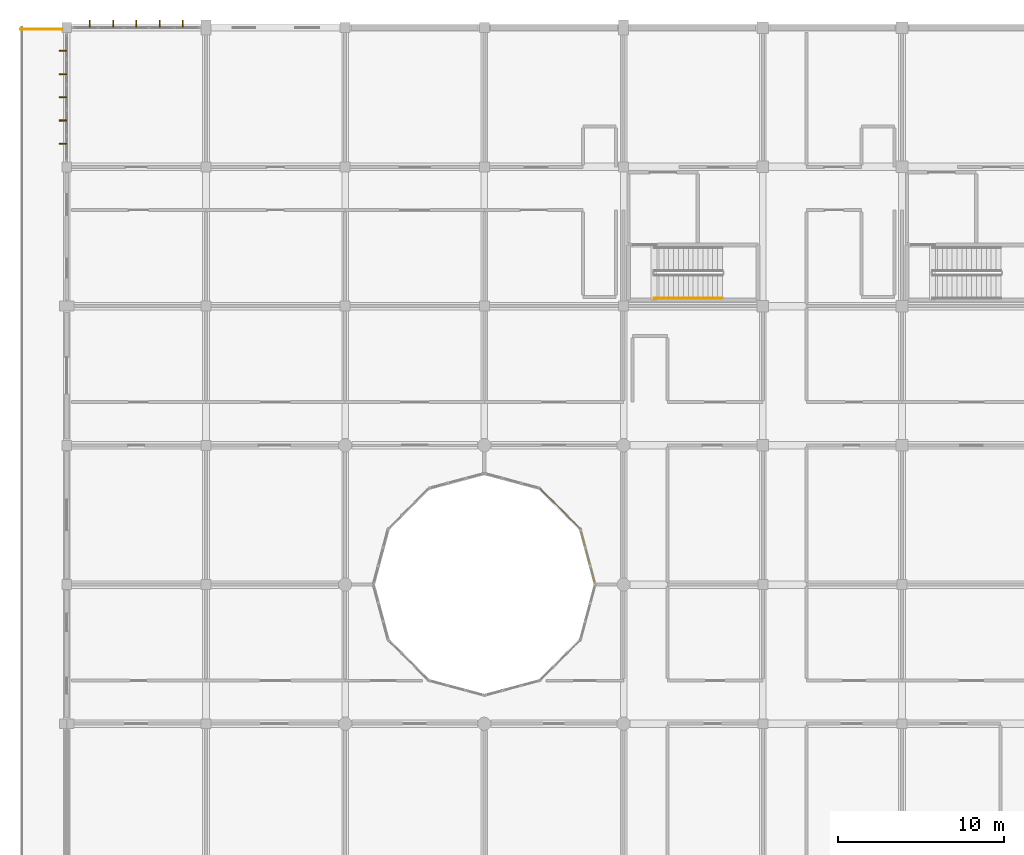
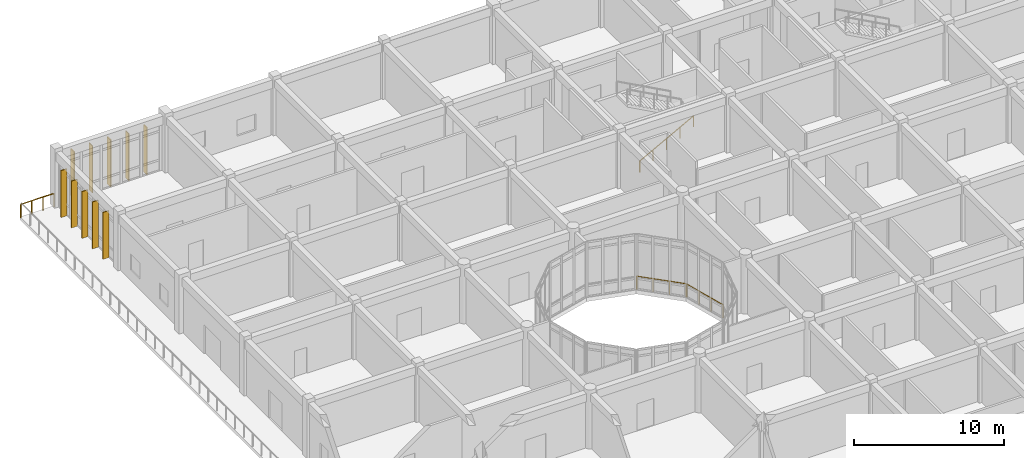
# One storey, part 124 of 138: 10 shading devices, 4 railings.
"""IFC4 building model written with IfcOpenShell, lengths in metres."""

from ifc_helpers import new_model, si_unit, direction, frame, origin, origin_2d, place, context, subcontext, project, spatial, rectangle, circle, extrude, material, material_profile, profile_set, type_object, element, save


model = new_model("IFC4")

# Units and contexts
model_context = context("Model", 3, precision=1e-05, world=origin(), true_north=direction((0.0, 1.0)))
body_context = subcontext(model_context, "Body", "Model", "MODEL_VIEW")
ifc_project = project(units=[si_unit("LENGTHUNIT", "METRE"), si_unit("AREAUNIT", "SQUARE_METRE"), si_unit("VOLUMEUNIT", "CUBIC_METRE"), si_unit("PLANEANGLEUNIT", "RADIAN"), si_unit("MASSUNIT", "GRAM", prefix="KILO")], contexts=[model_context])

# Site, building, storey
site_placement = place(None, origin())
site = spatial("IfcSite", under=ifc_project, at=site_placement, CompositionType="ELEMENT")
building_placement = place(site_placement, origin())
building = spatial("IfcBuilding", under=site, at=building_placement, Name="Bramfleet General Hospital", CompositionType="ELEMENT")
storey_placement = place(building_placement, origin())
storey = spatial("IfcBuildingStorey", under=building, at=storey_placement, Name="L00", CompositionType="ELEMENT", Elevation=0.0)

# Railings
ifc_material_1 = material(Name="Stainless steel 1.4401 safety balustrade", Category="steel")
railing_type_1 = type_object("IfcRailingType", Name="RAIL-EXT-GUARD", PredefinedType="GUARDRAIL", material=ifc_material_1)
railing_1_placement = place(storey_placement, frame((31.89404296875, 84.035400390625, 0.0)))
element("IfcRailing", 1, at=railing_1_placement, inside=storey, type_object=railing_type_1, Name="L00 Safety Guard Rail 7", PredefinedType="GUARDRAIL", context=body_context, shape_type="SweptSolid", body=[
    extrude(circle(Radius=0.02392578125, at=origin_2d()), frame((0.0, 0.0, 1.076171875), z_axis=(-0.258839080781, 0.965920457522, 0.0), x_axis=(-0.965920457522, -0.258839080781, 0.0)), (0.0, 0.0, 1.0), 3.396484375),
    extrude(circle(Radius=0.02099609375, at=origin_2d()), origin(), (0.0, 0.0, 1.0), 1.052001953125),
    extrude(circle(Radius=0.02099609375, at=origin_2d()), frame((-0.29296875, 1.093505859375, 0.0)), (0.0, 0.0, 1.0), 1.052001953125),
    extrude(circle(Radius=0.02099609375, at=origin_2d()), frame((-0.586181640625, 2.187255859375, 0.0)), (0.0, 0.0, 1.0), 1.052001953125),
    extrude(circle(Radius=0.02099609375, at=origin_2d()), frame((-0.879150390625, 3.28076171875, 0.0)), (0.0, 0.0, 1.0), 1.052001953125),
])
railing_2_placement = place(storey_placement, frame((30.9794921875, 87.377685546875, 0.0)))
element("IfcRailing", 2, at=railing_2_placement, inside=storey, type_object=railing_type_1, Name="L00 Safety Guard Rail 8", PredefinedType="GUARDRAIL", context=body_context, shape_type="SweptSolid", body=[
    extrude(circle(Radius=0.02392578125, at=origin_2d()), frame((0.0, 0.0, 1.076171875), z_axis=(-0.707106781187, 0.707106781187, 0.0), x_axis=(-0.707106781187, -0.707106781187, 0.0)), (0.0, 0.0, 1.0), 3.396484375),
    extrude(circle(Radius=0.02099609375, at=origin_2d()), origin(), (0.0, 0.0, 1.0), 1.052001953125),
    extrude(circle(Radius=0.02099609375, at=origin_2d()), frame((-0.800537109375, 0.800537109375, 0.0)), (0.0, 0.0, 1.0), 1.052001953125),
    extrude(circle(Radius=0.02099609375, at=origin_2d()), frame((-1.60107421875, 1.60107421875, 0.0)), (0.0, 0.0, 1.0), 1.052001953125),
    extrude(circle(Radius=0.02099609375, at=origin_2d()), frame((-2.401611328125, 2.401611328125, 0.0)), (0.0, 0.0, 1.0), 1.052001953125),
])
railing_3_placement = place(storey_placement, frame((-2.800048828125, 117.5, 0.0)))
element("IfcRailing", 3, at=railing_3_placement, inside=storey, type_object=railing_type_1, Name="L00 Flood-Plinth Guard 231", PredefinedType="GUARDRAIL", context=body_context, shape_type="SweptSolid", body=[
    extrude(circle(Radius=0.02392578125, at=origin_2d()), frame((0.0, 0.0, 1.076171875), z_axis=(1.0, 0.0, 0.0), x_axis=(0.0, 1.0, 0.0)), (0.0, 0.0, 1.0), 2.550048828125),
    extrude(circle(Radius=0.02099609375, at=origin_2d()), origin(), (0.0, 0.0, 1.0), 1.052001953125),
    extrude(circle(Radius=0.02099609375, at=origin_2d()), frame((0.85009765625, 0.0, 0.0)), (0.0, 0.0, 1.0), 1.052001953125),
    extrude(circle(Radius=0.02099609375, at=origin_2d()), frame((1.699951171875, 0.0, 0.0)), (0.0, 0.0, 1.0), 1.052001953125),
    extrude(circle(Radius=0.02099609375, at=origin_2d()), frame((2.550048828125, 0.0, 0.0)), (0.0, 0.0, 1.0), 1.052001953125),
])
ifc_material_2 = material(Name="Stainless steel 1.4301 stair handrail", Category="steel")
railing_type_2 = type_object("IfcRailingType", Name="RAIL-ST-HND", PredefinedType="HANDRAIL", material=ifc_material_2)
railing_4_placement = place(storey_placement, frame((35.43994140625, 101.27001953125, 0.159912109375)))
element("IfcRailing", 4, at=railing_4_placement, inside=storey, type_object=railing_type_2, Name="L00 ST-C8 stair handrail 1", PredefinedType="HANDRAIL", context=body_context, shape_type="SweptSolid", body=[
    extrude(circle(Radius=0.02392578125, at=origin_2d()), frame((0.0, 0.0, 0.8759765625), z_axis=(0.879038868435, 0.0, 0.476750110415), x_axis=(0.0, 1.0, 0.0)), (0.0, 0.0, 1.0), 4.698486328125),
    extrude(circle(Radius=0.02099609375, at=origin_2d()), origin(), (0.0, 0.0, 1.0), 0.851806640625),
    extrude(circle(Radius=0.02099609375, at=origin_2d()), frame((1.032470703125, 0.0, 0.56005859375)), (0.0, 0.0, 1.0), 0.851806640625),
    extrude(circle(Radius=0.02099609375, at=origin_2d()), frame((2.06494140625, 0.0, 1.1201171875)), (0.0, 0.0, 1.0), 0.851806640625),
    extrude(circle(Radius=0.02099609375, at=origin_2d()), frame((3.09765625, 0.0, 1.679931640625)), (0.0, 0.0, 1.0), 0.851806640625),
    extrude(circle(Radius=0.02099609375, at=origin_2d()), frame((4.130126953125, 0.0, 2.239990234375)), (0.0, 0.0, 1.0), 0.851806640625),
])

# Shading devices
ifc_material_3 = material(Name="Treated European larch timber", Category="wood")
ifc_material_profile = material_profile(ifc_material_3, rectangle(XDim=0.06494140625, YDim=0.449951171875, at=origin_2d()), Name="LARCH FIN 450x65")
ifc_profile_set = profile_set([ifc_material_profile], Name="Treated European larch timber")
shading_device_type = type_object("IfcShadingDeviceType", Name="SHD-FIN-450", PredefinedType="USERDEFINED", material=ifc_profile_set)
for number, where, z_axis, x_axis, name in (
    (5, (-0.239990234375, 110.60009765625, -0.02001953125), (0.0, 0.0, 1.0), (0.0, 1.0, 0.0), "L00 Larch Timber Shading Fin 6"),
    (6, (-0.239990234375, 112.0, -0.02001953125), (0.0, 0.0, 1.0), (0.0, 1.0, 0.0), "L00 Larch Timber Shading Fin 7"),
    (7, (-0.239990234375, 113.39990234375, -0.02001953125), (0.0, 0.0, 1.0), (0.0, 1.0, 0.0), "L00 Larch Timber Shading Fin 8"),
    (8, (-0.239990234375, 114.800048828125, -0.02001953125), (0.0, 0.0, 1.0), (0.0, 1.0, 0.0), "L00 Larch Timber Shading Fin 9"),
    (9, (-0.239990234375, 116.199951171875, -0.02001953125), (0.0, 0.0, 1.0), (0.0, 1.0, 0.0), "L00 Larch Timber Shading Fin 10"),
    (10, (1.39990234375, 117.840087890625, -0.02001953125), (0.0, 0.0, 1.0), (1.0, 0.0, 0.0), "L00 Larch Timber Shading Fin 11"),
    (11, (2.800048828125, 117.840087890625, -0.02001953125), (0.0, 0.0, 1.0), (1.0, 0.0, 0.0), "L00 Larch Timber Shading Fin 12"),
    (12, (4.199951171875, 117.840087890625, -0.02001953125), (0.0, 0.0, 1.0), (1.0, 0.0, 0.0), "L00 Larch Timber Shading Fin 13"),
    (13, (5.60009765625, 117.840087890625, -0.02001953125), (0.0, 0.0, 1.0), (1.0, 0.0, 0.0), "L00 Larch Timber Shading Fin 14"),
    (14, (7.0, 117.840087890625, -0.02001953125), (0.0, 0.0, 1.0), (1.0, 0.0, 0.0), "L00 Larch Timber Shading Fin 15"),
):
    element("IfcShadingDevice", number, at=place(storey_placement, frame(where, z_axis=z_axis, x_axis=x_axis)), inside=storey, type_object=shading_device_type, Name=name, ObjectType="Fin", PredefinedType="USERDEFINED", context=body_context, shape_type="SweptSolid", body=[
        extrude(rectangle(XDim=0.06494140625, YDim=0.449951171875, at=origin_2d()), origin(), (0.0, 0.0, 1.0), 3.820068359375),
    ])

save(model, "model.ifc")
